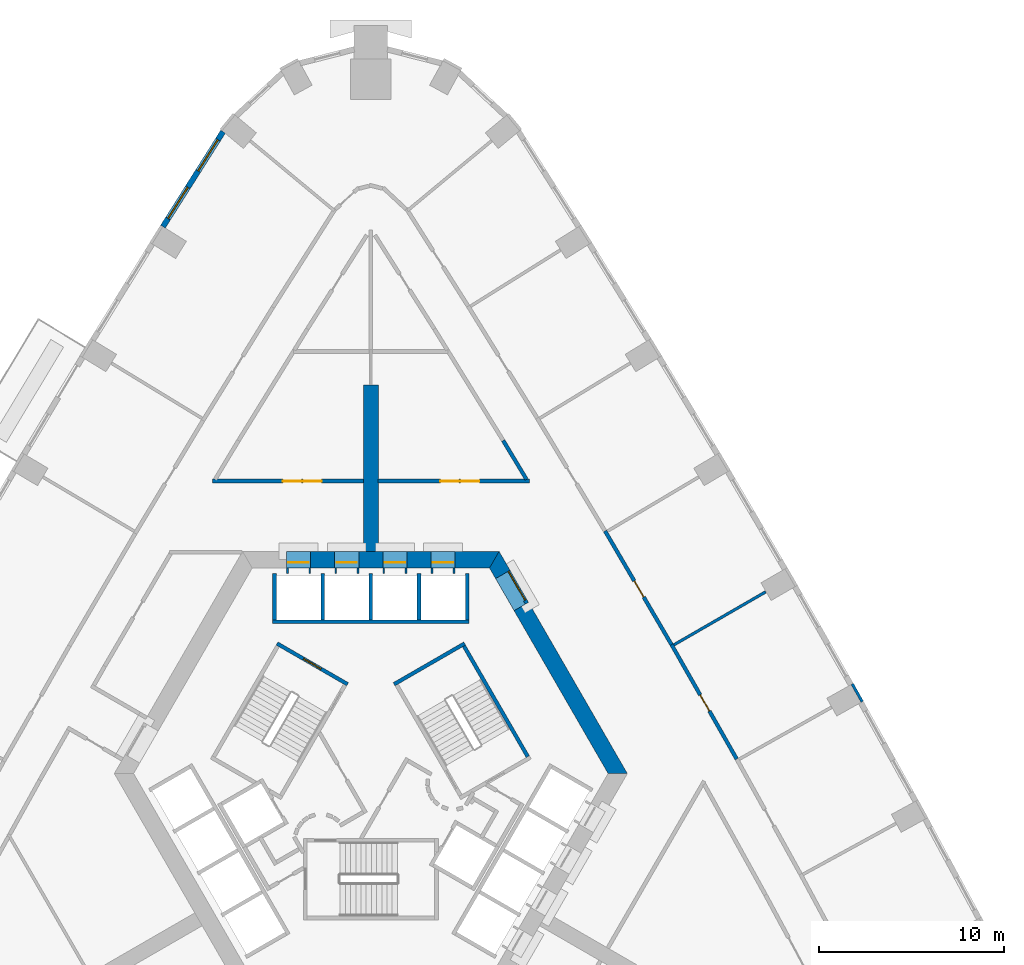
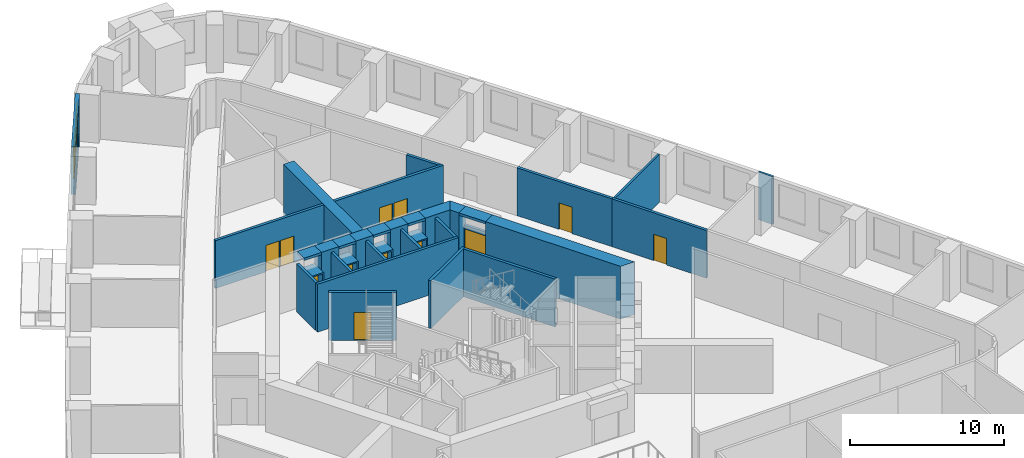
# One storey, part 9 of 16: 34 walls, 12 doors, 2 windows, 14 openings.
"""IFC4 building model written with IfcOpenShell, lengths in metres."""

from ifc_helpers import new_model, si_unit, direction, frame, frame_2d, origin, place, context, subcontext, project, spatial, polyline, rectangle, outline, extrude, material, layer, layer_set, type_object, element, fill, save


model = new_model("IFC4")

# Units and contexts
model_context = context("Model", 3, precision=1e-05, world=origin(), true_north=direction((0.0, 1.0)))
body_context = subcontext(model_context, "Body", "Model", "MODEL_VIEW")
ifc_project = project(units=[si_unit("LENGTHUNIT", "METRE"), si_unit("AREAUNIT", "SQUARE_METRE"), si_unit("VOLUMEUNIT", "CUBIC_METRE"), si_unit("PLANEANGLEUNIT", "RADIAN"), si_unit("MASSUNIT", "GRAM", prefix="KILO")], contexts=[model_context])

# Site, building, storey
site_placement = place(None, origin())
site = spatial("IfcSite", under=ifc_project, at=site_placement, CompositionType="ELEMENT")
building_placement = place(site_placement, origin())
building = spatial("IfcBuilding", under=site, at=building_placement, Name="Entoto Arch Interchange Tower", CompositionType="ELEMENT")
storey_placement = place(building_placement, frame((0.0, 0.0, 95.0)))
storey = spatial("IfcBuildingStorey", under=building, at=storey_placement, Name="L20", CompositionType="ELEMENT", Elevation=95.0)

# Wall
ifc_material_1 = material(Name="Concrete C60/75", Category="concrete")
ifc_layer_1 = layer(ifc_material_1, 0.800048828125)
ifc_layer_set_1 = layer_set([ifc_layer_1], Name="Concrete C60/75")
wall_type_1 = type_object("IfcWallType", Name="Buttress wall 800 C60/75", PredefinedType="SHEAR", material=ifc_layer_set_1)
wall_1_placement = place(storey_placement, frame((0.0, 14.5, -0.39990234375), z_axis=(0.0, 0.0, 1.0), x_axis=(0.0, 1.0, 0.0)))
element("IfcWall", 1, at=wall_1_placement, inside=storey, type_object=wall_type_1, Name="Buttress wall N L20", PredefinedType="SHEAR", context=body_context, shape_type="SweptSolid", body=[
    extrude(rectangle(XDim=9.0, YDim=0.800048828125, at=frame_2d((4.5, 0.0))), origin(), (0.0, 0.0, 1.0), 4.199951171875),
])

# Wall, opening, door
ifc_material_2 = material(Name="Reinforced concrete C40/50", Category="concrete")
ifc_layer_2 = layer(ifc_material_2, 0.199951171875)
ifc_layer_set_2 = layer_set([ifc_layer_2], Name="Reinforced concrete C40/50")
wall_type_2 = type_object("IfcWallType", Name="CORE GAP INFILL WALL", PredefinedType="PARTITIONING", material=ifc_layer_set_2)
wall_2_placement = place(storey_placement, frame((8.429931640625, 11.697998046875, 0.0), z_axis=(0.0, 0.0, 1.0), x_axis=(-0.50002537861, 0.866010750942, 0.0)))
wall_2 = element("IfcWall", 2, at=wall_2_placement, inside=storey, type_object=wall_type_2, Name="wall:L20:gap2", PredefinedType="PARTITIONING", context=body_context, shape_type="SweptSolid", body=[
    extrude(rectangle(XDim=2.0, YDim=0.199951171875, at=frame_2d((1.0, 0.0))), origin(), (0.0, 0.0, 1.0), 2.39990234375),
])
opening_1_placement = place(wall_2_placement, frame((0.18994140625, 0.0, 0.0)))
opening_1 = element("IfcOpeningElement", 3, at=opening_1_placement, cuts=wall_2, Name="Opening L20-D92", PredefinedType="OPENING", context=body_context, shape_type="SweptSolid", body=[
    extrude(rectangle(XDim=1.800048828125, YDim=2.10009765625, at=frame_2d((0.89990234375, 1.050048828125))), frame((0.0, 0.10986328125, 0.0), z_axis=(0.0, -1.0, 0.0), x_axis=(1.0, 0.0, 0.0)), (0.0, 0.0, 1.0), 0.219970703125),
])
ifc_material_3 = material(Name="Fire-rated Steel S235 door and frame", Category="steel")
door_type_1 = type_object("IfcDoorType", Name="DOOR FD-18 1800x2100", OperationType="DOUBLE_DOOR_SINGLE_SWING", PredefinedType="DOOR", material=ifc_material_3)
door_1_placement = place(opening_1_placement, origin())
door_1 = element("IfcDoor", 4, at=door_1_placement, inside=storey, type_object=door_type_1, Name="door:L20:gap2", OperationType="DOUBLE_DOOR_SINGLE_SWING", OverallHeight=2.10009765625, OverallWidth=1.800048828125, PredefinedType="DOOR", context=body_context, shape_type="SweptSolid", body=[
    extrude(rectangle(XDim=1.800048828125, YDim=2.10009765625, at=frame_2d((0.89990234375, 1.050048828125))), frame((0.0, 0.02490234375, 0.0), z_axis=(0.0, -1.0, 0.0), x_axis=(1.0, 0.0, 0.0)), (0.0, 0.0, 1.0), 0.050048828125),
])
fill(opening_1, door_1)

# Walls
ifc_layer_3 = layer(ifc_material_1, 0.89990234375)
ifc_layer_set_3 = layer_set([ifc_layer_3], Name="Concrete C60/75")
wall_type_3 = type_object("IfcWallType", Name="Core wall 900 C60/75", PredefinedType="SHEAR", material=ifc_layer_set_3)
wall_3_placement = place(storey_placement, frame((0.0, 0.0, -0.39990234375)))
element("IfcWall", 5, at=wall_3_placement, inside=storey, type_object=wall_type_3, Name="Core wall NE L20", PredefinedType="SHEAR", context=body_context, shape_type="SweptSolid", body=[
    extrude(outline(polyline([(8.51708984375, 11.748046875), (7.738037109375, 11.298095703125), (12.81689453125, 2.5), (13.85595703125, 2.5), (8.51708984375, 11.748046875)])), origin(), (0.0, 0.0, 1.0), 4.199951171875),
])
wall_4_placement = place(storey_placement, frame((0.0, 0.0, -0.39990234375)))
element("IfcWall", 6, at=wall_4_placement, inside=storey, type_object=wall_type_3, Name="Core wall NE L20", PredefinedType="SHEAR", context=body_context, shape_type="SweptSolid", body=[
    extrude(outline(polyline([(6.738037109375, 13.030029296875), (7.51708984375, 13.47998046875), (6.927978515625, 14.5), (6.408935546875, 13.60009765625), (6.738037109375, 13.030029296875)])), origin(), (0.0, 0.0, 1.0), 4.199951171875),
])
wall_5_placement = place(storey_placement, frame((0.0, 0.0, 3.60009765625)))
element("IfcWall", 7, at=wall_5_placement, inside=storey, type_object=wall_type_3, Name="Core wall lintel NE L20", PredefinedType="SHEAR", context=body_context, shape_type="SweptSolid", body=[
    extrude(outline(polyline([(7.51708984375, 13.47998046875), (6.738037109375, 13.030029296875), (7.738037109375, 11.298095703125), (8.51708984375, 11.748046875), (7.51708984375, 13.47998046875)])), origin(), (0.0, 0.0, 1.0), 0.199951171875),
])
wall_6_placement = place(storey_placement, frame((0.0, 0.0, -0.39990234375)))
element("IfcWall", 8, at=wall_6_placement, inside=storey, type_object=wall_type_3, Name="Core wall N L20", PredefinedType="SHEAR", context=body_context, shape_type="SweptSolid", body=[
    extrude(outline(polyline([(4.550048828125, 14.5), (4.550048828125, 13.60009765625), (6.408935546875, 13.60009765625), (6.927978515625, 14.5), (4.550048828125, 14.5)])), origin(), (0.0, 0.0, 1.0), 4.199951171875),
])
wall_7_placement = place(storey_placement, frame((0.0, 0.0, -0.39990234375)))
element("IfcWall", 9, at=wall_7_placement, inside=storey, type_object=wall_type_3, Name="Core wall N L20", PredefinedType="SHEAR", context=body_context, shape_type="SweptSolid", body=[
    extrude(outline(polyline([(1.949951171875, 14.5), (1.949951171875, 13.60009765625), (3.25, 13.60009765625), (3.25, 14.5), (1.949951171875, 14.5)])), origin(), (0.0, 0.0, 1.0), 4.199951171875),
])
wall_8_placement = place(storey_placement, frame((0.0, 0.0, -0.39990234375)))
element("IfcWall", 10, at=wall_8_placement, inside=storey, type_object=wall_type_3, Name="Core wall N L20", PredefinedType="SHEAR", context=body_context, shape_type="SweptSolid", body=[
    extrude(outline(polyline([(-0.64990234375, 14.5), (-0.64990234375, 13.60009765625), (0.64990234375, 13.60009765625), (0.64990234375, 14.5), (-0.64990234375, 14.5)])), origin(), (0.0, 0.0, 1.0), 4.199951171875),
])
wall_9_placement = place(storey_placement, frame((0.0, 0.0, -0.39990234375)))
element("IfcWall", 11, at=wall_9_placement, inside=storey, type_object=wall_type_3, Name="Core wall N L20", PredefinedType="SHEAR", context=body_context, shape_type="SweptSolid", body=[
    extrude(outline(polyline([(-3.25, 14.5), (-3.25, 13.60009765625), (-1.949951171875, 13.60009765625), (-1.949951171875, 14.5), (-3.25, 14.5)])), origin(), (0.0, 0.0, 1.0), 4.199951171875),
])
wall_10_placement = place(storey_placement, frame((0.0, 0.0, 3.60009765625)))
element("IfcWall", 12, at=wall_10_placement, inside=storey, type_object=wall_type_3, Name="Core wall lintel N L20", PredefinedType="SHEAR", context=body_context, shape_type="SweptSolid", body=[
    extrude(outline(polyline([(3.25, 14.5), (3.25, 13.60009765625), (4.550048828125, 13.60009765625), (4.550048828125, 14.5), (3.25, 14.5)])), origin(), (0.0, 0.0, 1.0), 0.199951171875),
])
wall_11_placement = place(storey_placement, frame((0.0, 0.0, 3.60009765625)))
element("IfcWall", 13, at=wall_11_placement, inside=storey, type_object=wall_type_3, Name="Core wall lintel N L20", PredefinedType="SHEAR", context=body_context, shape_type="SweptSolid", body=[
    extrude(outline(polyline([(0.64990234375, 14.5), (0.64990234375, 13.60009765625), (1.949951171875, 13.60009765625), (1.949951171875, 14.5), (0.64990234375, 14.5)])), origin(), (0.0, 0.0, 1.0), 0.199951171875),
])
wall_12_placement = place(storey_placement, frame((0.0, 0.0, 3.60009765625)))
element("IfcWall", 14, at=wall_12_placement, inside=storey, type_object=wall_type_3, Name="Core wall lintel N L20", PredefinedType="SHEAR", context=body_context, shape_type="SweptSolid", body=[
    extrude(outline(polyline([(-1.949951171875, 14.5), (-1.949951171875, 13.60009765625), (-0.64990234375, 13.60009765625), (-0.64990234375, 14.5), (-1.949951171875, 14.5)])), origin(), (0.0, 0.0, 1.0), 0.199951171875),
])
wall_13_placement = place(storey_placement, frame((0.0, 0.0, 3.60009765625)))
element("IfcWall", 15, at=wall_13_placement, inside=storey, type_object=wall_type_3, Name="Core wall lintel N L20", PredefinedType="SHEAR", context=body_context, shape_type="SweptSolid", body=[
    extrude(outline(polyline([(-4.550048828125, 14.5), (-4.550048828125, 13.60009765625), (-3.25, 13.60009765625), (-3.25, 14.5), (-4.550048828125, 14.5)])), origin(), (0.0, 0.0, 1.0), 0.199951171875),
])

# Wall, opening, door
ifc_material_4 = material(Name="Concrete C40/50", Category="concrete")
ifc_layer_4 = layer(ifc_material_4, 1.199951171875)
ifc_layer_set_4 = layer_set([ifc_layer_4], Name="Concrete C40/50")
wall_type_4 = type_object("IfcWallType", Name="LIFT LANDING INFILL WALL", PredefinedType="STANDARD", material=ifc_layer_set_4)
wall_14_placement = place(storey_placement, frame((4.550048828125, 13.89990234375, 0.0), z_axis=(0.0, 0.0, 1.0), x_axis=(-1.0, 0.0, 0.0)))
wall_14 = element("IfcWall", 16, at=wall_14_placement, inside=storey, type_object=wall_type_4, Name="Lift landing infill wall LR1 L20", PredefinedType="STANDARD", context=body_context, shape_type="SweptSolid", body=[
    extrude(rectangle(XDim=1.300048828125, YDim=1.199951171875, at=frame_2d((0.64990234375, 0.0))), origin(), (0.0, 0.0, 1.0), 2.39990234375),
])
opening_2_placement = place(wall_14_placement, frame((0.10009765625, 0.0, 0.0)))
opening_2 = element("IfcOpeningElement", 17, at=opening_2_placement, cuts=wall_14, Name="Opening LD-LR1-L20", PredefinedType="OPENING", context=body_context, shape_type="SweptSolid", body=[
    extrude(rectangle(XDim=1.10009765625, YDim=2.300048828125, at=frame_2d((0.550048828125, 1.14990234375))), frame((0.0, 0.60986328125, 0.0), z_axis=(0.0, -1.0, 0.0), x_axis=(1.0, 0.0, 0.0)), (0.0, 0.0, 1.0), 1.219970703125),
])
ifc_material_5 = material(Name="Stainless steel 1.4301 panels", Category="steel")
door_type_2 = type_object("IfcDoorType", Name="LIFT LANDING DOOR LD2 1100x2300", OperationType="SLIDING_TO_LEFT", PredefinedType="DOOR", material=ifc_material_5)
door_2_placement = place(opening_2_placement, origin())
door_2 = element("IfcDoor", 18, at=door_2_placement, inside=storey, type_object=door_type_2, Name="Lift landing door LR1 L20", OperationType="SLIDING_TO_LEFT", OverallHeight=2.300048828125, OverallWidth=1.10009765625, PredefinedType="DOOR", context=body_context, shape_type="SweptSolid", body=[
    extrude(rectangle(XDim=1.10009765625, YDim=2.300048828125, at=frame_2d((0.550048828125, 1.14990234375))), frame((0.0, 0.02490234375, 0.0), z_axis=(0.0, -1.0, 0.0), x_axis=(1.0, 0.0, 0.0)), (0.0, 0.0, 1.0), 0.050048828125),
])
fill(opening_2, door_2)

wall_15_placement = place(storey_placement, frame((1.949951171875, 13.89990234375, 0.0), z_axis=(0.0, 0.0, 1.0), x_axis=(-1.0, 0.0, 0.0)))
wall_15 = element("IfcWall", 19, at=wall_15_placement, inside=storey, type_object=wall_type_4, Name="Lift landing infill wall LR2 L20", PredefinedType="STANDARD", context=body_context, shape_type="SweptSolid", body=[
    extrude(rectangle(XDim=1.300048828125, YDim=1.199951171875, at=frame_2d((0.64990234375, 0.0))), origin(), (0.0, 0.0, 1.0), 2.39990234375),
])
opening_3_placement = place(wall_15_placement, frame((0.10009765625, 0.0, 0.0)))
opening_3 = element("IfcOpeningElement", 20, at=opening_3_placement, cuts=wall_15, Name="Opening LD-LR2-L20", PredefinedType="OPENING", context=body_context, shape_type="SweptSolid", body=[
    extrude(rectangle(XDim=1.10009765625, YDim=2.300048828125, at=frame_2d((0.550048828125, 1.14990234375))), frame((0.0, 0.60986328125, 0.0), z_axis=(0.0, -1.0, 0.0), x_axis=(1.0, 0.0, 0.0)), (0.0, 0.0, 1.0), 1.219970703125),
])
door_3_placement = place(opening_3_placement, origin())
door_3 = element("IfcDoor", 21, at=door_3_placement, inside=storey, type_object=door_type_2, Name="Lift landing door LR2 L20", OperationType="SLIDING_TO_LEFT", OverallHeight=2.300048828125, OverallWidth=1.10009765625, PredefinedType="DOOR", context=body_context, shape_type="SweptSolid", body=[
    extrude(rectangle(XDim=1.10009765625, YDim=2.300048828125, at=frame_2d((0.550048828125, 1.14990234375))), frame((0.0, 0.02490234375, 0.0), z_axis=(0.0, -1.0, 0.0), x_axis=(1.0, 0.0, 0.0)), (0.0, 0.0, 1.0), 0.050048828125),
])
fill(opening_3, door_3)

wall_16_placement = place(storey_placement, frame((-0.64990234375, 13.89990234375, 0.0), z_axis=(0.0, 0.0, 1.0), x_axis=(-1.0, 0.0, 0.0)))
wall_16 = element("IfcWall", 22, at=wall_16_placement, inside=storey, type_object=wall_type_4, Name="Lift landing infill wall LR3 L20", PredefinedType="STANDARD", context=body_context, shape_type="SweptSolid", body=[
    extrude(rectangle(XDim=1.300048828125, YDim=1.199951171875, at=frame_2d((0.64990234375, 0.0))), origin(), (0.0, 0.0, 1.0), 2.39990234375),
])
opening_4_placement = place(wall_16_placement, frame((0.10009765625, 0.0, 0.0)))
opening_4 = element("IfcOpeningElement", 23, at=opening_4_placement, cuts=wall_16, Name="Opening LD-LR3-L20", PredefinedType="OPENING", context=body_context, shape_type="SweptSolid", body=[
    extrude(rectangle(XDim=1.10009765625, YDim=2.300048828125, at=frame_2d((0.550048828125, 1.14990234375))), frame((0.0, 0.60986328125, 0.0), z_axis=(0.0, -1.0, 0.0), x_axis=(1.0, 0.0, 0.0)), (0.0, 0.0, 1.0), 1.219970703125),
])
door_4_placement = place(opening_4_placement, origin())
door_4 = element("IfcDoor", 24, at=door_4_placement, inside=storey, type_object=door_type_2, Name="Lift landing door LR3 L20", OperationType="SLIDING_TO_LEFT", OverallHeight=2.300048828125, OverallWidth=1.10009765625, PredefinedType="DOOR", context=body_context, shape_type="SweptSolid", body=[
    extrude(rectangle(XDim=1.10009765625, YDim=2.300048828125, at=frame_2d((0.550048828125, 1.14990234375))), frame((0.0, 0.02490234375, 0.0), z_axis=(0.0, -1.0, 0.0), x_axis=(1.0, 0.0, 0.0)), (0.0, 0.0, 1.0), 0.050048828125),
])
fill(opening_4, door_4)

wall_17_placement = place(storey_placement, frame((-3.25, 13.89990234375, 0.0), z_axis=(0.0, 0.0, 1.0), x_axis=(-1.0, 0.0, 0.0)))
wall_17 = element("IfcWall", 25, at=wall_17_placement, inside=storey, type_object=wall_type_4, Name="Lift landing infill wall LR4 L20", PredefinedType="STANDARD", context=body_context, shape_type="SweptSolid", body=[
    extrude(rectangle(XDim=1.300048828125, YDim=1.199951171875, at=frame_2d((0.64990234375, 0.0))), origin(), (0.0, 0.0, 1.0), 2.39990234375),
])
opening_5_placement = place(wall_17_placement, frame((0.10009765625, 0.0, 0.0)))
opening_5 = element("IfcOpeningElement", 26, at=opening_5_placement, cuts=wall_17, Name="Opening LD-LR4-L20", PredefinedType="OPENING", context=body_context, shape_type="SweptSolid", body=[
    extrude(rectangle(XDim=1.10009765625, YDim=2.300048828125, at=frame_2d((0.550048828125, 1.14990234375))), frame((0.0, 0.60986328125, 0.0), z_axis=(0.0, -1.0, 0.0), x_axis=(1.0, 0.0, 0.0)), (0.0, 0.0, 1.0), 1.219970703125),
])
door_5_placement = place(opening_5_placement, origin())
door_5 = element("IfcDoor", 27, at=door_5_placement, inside=storey, type_object=door_type_2, Name="Lift landing door LR4 L20", OperationType="SLIDING_TO_LEFT", OverallHeight=2.300048828125, OverallWidth=1.10009765625, PredefinedType="DOOR", context=body_context, shape_type="SweptSolid", body=[
    extrude(rectangle(XDim=1.10009765625, YDim=2.300048828125, at=frame_2d((0.550048828125, 1.14990234375))), frame((0.0, 0.02490234375, 0.0), z_axis=(0.0, -1.0, 0.0), x_axis=(1.0, 0.0, 0.0)), (0.0, 0.0, 1.0), 0.050048828125),
])
fill(opening_5, door_5)

# Walls
ifc_layer_5 = layer(ifc_material_4, 0.199951171875)
ifc_layer_set_5 = layer_set([ifc_layer_5], Name="Concrete C40/50")
wall_type_5 = type_object("IfcWallType", Name="LIFT SHAFT WALL 200", PredefinedType="STANDARD", material=ifc_layer_set_5)
wall_18_placement = place(storey_placement, frame((5.300048828125, 10.699951171875, 0.0), z_axis=(0.0, 0.0, 1.0), x_axis=(-1.0, 0.0, 0.0)))
element("IfcWall", 28, at=wall_18_placement, inside=storey, type_object=wall_type_5, Name="Shaft wall N3 front", PredefinedType="STANDARD", context=body_context, shape_type="SweptSolid", body=[
    extrude(rectangle(XDim=10.60009765625, YDim=0.199951171875, at=frame_2d((5.300048828125, 0.0))), origin(), (0.0, 0.0, 1.0), 3.800048828125),
])
for number, where, z_axis, x_axis, name in (
    (29, (5.199951171875, 10.800048828125, 0.0), (0.0, 0.0, 1.0), (0.0, 1.0, 0.0), "Shaft wall N3 cross 1"),
    (30, (2.60009765625, 10.800048828125, 0.0), (0.0, 0.0, 1.0), (0.0, 1.0, 0.0), "Shaft wall N3 cross 2"),
    (31, (0.0, 10.800048828125, 0.0), (0.0, 0.0, 1.0), (0.0, 1.0, 0.0), "Shaft wall N3 cross 3"),
    (32, (-2.60009765625, 10.800048828125, 0.0), (0.0, 0.0, 1.0), (0.0, 1.0, 0.0), "Shaft wall N3 cross 4"),
    (33, (-5.199951171875, 10.800048828125, 0.0), (0.0, 0.0, 1.0), (0.0, 1.0, 0.0), "Shaft wall N3 cross 5"),
):
    element("IfcWall", number, at=place(storey_placement, frame(where, z_axis=z_axis, x_axis=x_axis)), inside=storey, type_object=wall_type_5, Name=name, PredefinedType="STANDARD", context=body_context, shape_type="SweptSolid", body=[
        extrude(rectangle(XDim=2.5, YDim=0.199951171875, at=frame_2d((1.25, 0.0))), origin(), (0.0, 0.0, 1.0), 3.800048828125),
    ])
ifc_material_6 = material(Name="Gypsum board partition on steel studs", Category="steel")
ifc_layer_6 = layer(ifc_material_6, 0.14990234375)
ifc_layer_set_6 = layer_set([ifc_layer_6], Name="Gypsum board partition on steel studs")
wall_type_6 = type_object("IfcWallType", Name="PARTITION 150", PredefinedType="PARTITIONING", material=ifc_layer_set_6)
wall_19_placement = place(storey_placement, frame((16.366943359375, 9.449951171875, 0.0), z_axis=(0.0, 0.0, 1.0), x_axis=(0.866061440635, 0.499937577149, 0.0)))
element("IfcWall", 34, at=wall_19_placement, inside=storey, type_object=wall_type_6, Name="wall:L20:p118", PredefinedType="PARTITIONING", context=body_context, shape_type="SweptSolid", body=[
    extrude(rectangle(XDim=5.730712890625, YDim=0.14990234375, at=frame_2d((2.865234375, 0.0))), origin(), (0.0, 0.0, 1.0), 3.800048828125),
])
ifc_layer_7 = layer(ifc_material_6, 0.199951171875)
ifc_layer_set_7 = layer_set([ifc_layer_7], Name="Gypsum board partition on steel studs")
wall_type_7 = type_object("IfcWallType", Name="PARTITION 200", PredefinedType="PARTITIONING", material=ifc_layer_set_7)
wall_20_placement = place(storey_placement, frame((8.410888671875, 18.385986328125, 0.0), z_axis=(0.0, 0.0, 1.0), x_axis=(-0.515008089027, 0.857185317325, 0.0)))
element("IfcWall", 35, at=wall_20_placement, inside=storey, type_object=wall_type_7, Name="wall:L20:p001", PredefinedType="PARTITIONING", context=body_context, shape_type="SweptSolid", body=[
    extrude(rectangle(XDim=2.452392578125, YDim=0.199951171875, at=frame_2d((1.22607421875, 0.0))), origin(), (0.0, 0.0, 1.0), 3.800048828125),
])

# Wall, opening, door
wall_21_placement = place(storey_placement, frame((16.242919921875, 9.465087890625, 0.0), z_axis=(0.0, 0.0, 1.0), x_axis=(0.495081262009, -0.868846674625, 0.0)))
wall_21 = element("IfcWall", 36, at=wall_21_placement, inside=storey, type_object=wall_type_7, Name="wall:L20:p042", PredefinedType="PARTITIONING", context=body_context, shape_type="SweptSolid", body=[
    extrude(rectangle(XDim=7.112060546875, YDim=0.199951171875, at=frame_2d((3.55615234375, 0.0))), origin(), (0.0, 0.0, 1.0), 3.800048828125),
])
opening_6_placement = place(wall_21_placement, frame((3.131103515625, 0.0, 0.0)))
opening_6 = element("IfcOpeningElement", 37, at=opening_6_placement, cuts=wall_21, Name="Opening L20-D08", PredefinedType="OPENING", context=body_context, shape_type="SweptSolid", body=[
    extrude(rectangle(XDim=1.0, YDim=2.10009765625, at=frame_2d((0.5, 1.050048828125))), frame((0.0, 0.10986328125, 0.0), z_axis=(0.0, -1.0, 0.0), x_axis=(1.0, 0.0, 0.0)), (0.0, 0.0, 1.0), 0.219970703125),
])
ifc_material_7 = material(Name="Timber door leaf in Steel S235 frame", Category="steel")
door_type_3 = type_object("IfcDoorType", Name="DOOR DS-10 1000x2100", OperationType="SINGLE_SWING_LEFT", PredefinedType="DOOR", material=ifc_material_7)
door_6_placement = place(opening_6_placement, origin())
door_6 = element("IfcDoor", 38, at=door_6_placement, inside=storey, type_object=door_type_3, Name="door:L20:08", OperationType="SINGLE_SWING_LEFT", OverallHeight=2.10009765625, OverallWidth=1.0, PredefinedType="DOOR", context=body_context, shape_type="SweptSolid", body=[
    extrude(rectangle(XDim=1.0, YDim=2.10009765625, at=frame_2d((0.5, 1.050048828125))), frame((0.0, 0.02490234375, 0.0), z_axis=(0.0, -1.0, 0.0), x_axis=(1.0, 0.0, 0.0)), (0.0, 0.0, 1.0), 0.050048828125),
])
fill(opening_6, door_6)

wall_22_placement = place(storey_placement, frame((12.652099609375, 15.60205078125, 0.0), z_axis=(0.0, 0.0, 1.0), x_axis=(0.504914693075, -0.863169249172, 0.0)))
wall_22 = element("IfcWall", 39, at=wall_22_placement, inside=storey, type_object=wall_type_7, Name="wall:L20:p043", PredefinedType="PARTITIONING", context=body_context, shape_type="SweptSolid", body=[
    extrude(rectangle(XDim=7.10986328125, YDim=0.199951171875, at=frame_2d((3.554931640625, 0.0))), origin(), (0.0, 0.0, 1.0), 3.800048828125),
])
opening_7_placement = place(wall_22_placement, frame((3.1298828125, 0.0, 0.0)))
opening_7 = element("IfcOpeningElement", 40, at=opening_7_placement, cuts=wall_22, Name="Opening L20-D09", PredefinedType="OPENING", context=body_context, shape_type="SweptSolid", body=[
    extrude(rectangle(XDim=1.0, YDim=2.10009765625, at=frame_2d((0.5, 1.050048828125))), frame((0.0, 0.10986328125, 0.0), z_axis=(0.0, -1.0, 0.0), x_axis=(1.0, 0.0, 0.0)), (0.0, 0.0, 1.0), 0.219970703125),
])
door_7_placement = place(opening_7_placement, origin())
door_7 = element("IfcDoor", 41, at=door_7_placement, inside=storey, type_object=door_type_3, Name="door:L20:09", OperationType="SINGLE_SWING_LEFT", OverallHeight=2.10009765625, OverallWidth=1.0, PredefinedType="DOOR", context=body_context, shape_type="SweptSolid", body=[
    extrude(rectangle(XDim=1.0, YDim=2.10009765625, at=frame_2d((0.5, 1.050048828125))), frame((0.0, 0.02490234375, 0.0), z_axis=(0.0, -1.0, 0.0), x_axis=(1.0, 0.0, 0.0)), (0.0, 0.0, 1.0), 0.050048828125),
])
fill(opening_7, door_7)

# Wall, openings, doors
wall_23_placement = place(storey_placement, frame((0.39990234375, 18.300048828125, 0.0), z_axis=(0.0, 0.0, 1.0), x_axis=(1.0, 0.0, 0.0)))
wall_23 = element("IfcWall", 42, at=wall_23_placement, inside=storey, type_object=wall_type_7, Name="wall:L20:p099", PredefinedType="PARTITIONING", context=body_context, shape_type="SweptSolid", body=[
    extrude(rectangle(XDim=8.1630859375, YDim=0.199951171875, at=frame_2d((4.08154296875, 0.0))), origin(), (0.0, 0.0, 1.0), 3.800048828125),
])
opening_8_placement = place(wall_23_placement, frame((3.35595703125, 0.0, 0.0)))
opening_8 = element("IfcOpeningElement", 43, at=opening_8_placement, cuts=wall_23, Name="Opening L20-D24", PredefinedType="OPENING", context=body_context, shape_type="SweptSolid", body=[
    extrude(rectangle(XDim=1.0, YDim=2.10009765625, at=frame_2d((0.5, 1.050048828125))), frame((0.0, 0.10986328125, 0.0), z_axis=(0.0, -1.0, 0.0), x_axis=(1.0, 0.0, 0.0)), (0.0, 0.0, 1.0), 0.219970703125),
])
opening_9_placement = place(wall_23_placement, frame((4.4560546875, 0.0, 0.0)))
opening_9 = element("IfcOpeningElement", 44, at=opening_9_placement, cuts=wall_23, Name="Opening L20-D37", PredefinedType="OPENING", context=body_context, shape_type="SweptSolid", body=[
    extrude(rectangle(XDim=1.0, YDim=2.10009765625, at=frame_2d((0.5, 1.050048828125))), frame((0.0, 0.10986328125, 0.0), z_axis=(0.0, -1.0, 0.0), x_axis=(1.0, 0.0, 0.0)), (0.0, 0.0, 1.0), 0.219970703125),
])
door_8_placement = place(opening_8_placement, origin())
door_8 = element("IfcDoor", 45, at=door_8_placement, inside=storey, type_object=door_type_3, Name="door:L20:24", OperationType="SINGLE_SWING_RIGHT", OverallHeight=2.10009765625, OverallWidth=1.0, PredefinedType="DOOR", context=body_context, shape_type="SweptSolid", body=[
    extrude(rectangle(XDim=1.0, YDim=2.10009765625, at=frame_2d((0.5, 1.050048828125))), frame((0.0, 0.02490234375, 0.0), z_axis=(0.0, -1.0, 0.0), x_axis=(1.0, 0.0, 0.0)), (0.0, 0.0, 1.0), 0.050048828125),
])
fill(opening_8, door_8)
door_9_placement = place(opening_9_placement, origin())
door_9 = element("IfcDoor", 46, at=door_9_placement, inside=storey, type_object=door_type_3, Name="door:L20:37", OperationType="SINGLE_SWING_RIGHT", OverallHeight=2.10009765625, OverallWidth=1.0, PredefinedType="DOOR", context=body_context, shape_type="SweptSolid", body=[
    extrude(rectangle(XDim=1.0, YDim=2.10009765625, at=frame_2d((0.5, 1.050048828125))), frame((0.0, 0.02490234375, 0.0), z_axis=(0.0, -1.0, 0.0), x_axis=(1.0, 0.0, 0.0)), (0.0, 0.0, 1.0), 0.050048828125),
])
fill(opening_9, door_9)

wall_24_placement = place(storey_placement, frame((-8.56298828125, 18.300048828125, 0.0), z_axis=(0.0, 0.0, 1.0), x_axis=(1.0, 0.0, 0.0)))
wall_24 = element("IfcWall", 47, at=wall_24_placement, inside=storey, type_object=wall_type_7, Name="wall:L20:p100", PredefinedType="PARTITIONING", context=body_context, shape_type="SweptSolid", body=[
    extrude(rectangle(XDim=8.1630859375, YDim=0.199951171875, at=frame_2d((4.08154296875, 0.0))), origin(), (0.0, 0.0, 1.0), 3.800048828125),
])
opening_10_placement = place(wall_24_placement, frame((3.805908203125, 0.0, 0.0)))
opening_10 = element("IfcOpeningElement", 48, at=opening_10_placement, cuts=wall_24, Name="Opening L20-D25", PredefinedType="OPENING", context=body_context, shape_type="SweptSolid", body=[
    extrude(rectangle(XDim=1.0, YDim=2.10009765625, at=frame_2d((0.5, 1.050048828125))), frame((0.0, 0.10986328125, 0.0), z_axis=(0.0, -1.0, 0.0), x_axis=(1.0, 0.0, 0.0)), (0.0, 0.0, 1.0), 0.219970703125),
])
opening_11_placement = place(wall_24_placement, frame((4.906005859375, 0.0, 0.0)))
opening_11 = element("IfcOpeningElement", 49, at=opening_11_placement, cuts=wall_24, Name="Opening L20-D38", PredefinedType="OPENING", context=body_context, shape_type="SweptSolid", body=[
    extrude(rectangle(XDim=1.0, YDim=2.10009765625, at=frame_2d((0.5, 1.050048828125))), frame((0.0, 0.10986328125, 0.0), z_axis=(0.0, -1.0, 0.0), x_axis=(1.0, 0.0, 0.0)), (0.0, 0.0, 1.0), 0.219970703125),
])
door_10_placement = place(opening_10_placement, origin())
door_10 = element("IfcDoor", 50, at=door_10_placement, inside=storey, type_object=door_type_3, Name="door:L20:25", OperationType="SINGLE_SWING_RIGHT", OverallHeight=2.10009765625, OverallWidth=1.0, PredefinedType="DOOR", context=body_context, shape_type="SweptSolid", body=[
    extrude(rectangle(XDim=1.0, YDim=2.10009765625, at=frame_2d((0.5, 1.050048828125))), frame((0.0, 0.02490234375, 0.0), z_axis=(0.0, -1.0, 0.0), x_axis=(1.0, 0.0, 0.0)), (0.0, 0.0, 1.0), 0.050048828125),
])
fill(opening_10, door_10)
door_11_placement = place(opening_11_placement, origin())
door_11 = element("IfcDoor", 51, at=door_11_placement, inside=storey, type_object=door_type_3, Name="door:L20:38", OperationType="SINGLE_SWING_RIGHT", OverallHeight=2.10009765625, OverallWidth=1.0, PredefinedType="DOOR", context=body_context, shape_type="SweptSolid", body=[
    extrude(rectangle(XDim=1.0, YDim=2.10009765625, at=frame_2d((0.5, 1.050048828125))), frame((0.0, 0.02490234375, 0.0), z_axis=(0.0, -1.0, 0.0), x_axis=(1.0, 0.0, 0.0)), (0.0, 0.0, 1.0), 0.050048828125),
])
fill(opening_11, door_11)

# Walls
ifc_layer_8 = layer(ifc_material_4, 0.199951171875)
ifc_layer_set_8 = layer_set([ifc_layer_8], Name="Concrete C40/50")
wall_type_8 = type_object("IfcWallType", Name="STAIR ENCLOSURE WALL 200", PredefinedType="STANDARD", material=ifc_layer_set_8)
wall_25_placement = place(storey_placement, frame((1.256103515625, 7.323974609375, 0.0), z_axis=(0.0, 0.0, 1.0), x_axis=(0.866046073146, 0.499964197906, 0.0)))
element("IfcWall", 52, at=wall_25_placement, inside=storey, type_object=wall_type_8, Name="Stair wall ST-NE far", PredefinedType="STANDARD", context=body_context, shape_type="SweptSolid", body=[
    extrude(rectangle(XDim=4.400146484375, YDim=0.199951171875, at=frame_2d((2.2001953125, 0.0))), origin(), (0.0, 0.0, 1.0), 3.800048828125),
])
wall_26_placement = place(storey_placement, frame((8.47998046875, 3.412109375, 0.0), z_axis=(0.0, 0.0, 1.0), x_axis=(-0.499978703459, 0.866037698999, 0.0)))
element("IfcWall", 53, at=wall_26_placement, inside=storey, type_object=wall_type_8, Name="Stair wall ST-NE back", PredefinedType="STANDARD", context=body_context, shape_type="SweptSolid", body=[
    extrude(rectangle(XDim=6.900146484375, YDim=0.199951171875, at=frame_2d((3.4501953125, 0.0))), origin(), (0.0, 0.0, 1.0), 3.800048828125),
])

# Wall, opening, door
wall_27_placement = place(storey_placement, frame((-1.256103515625, 7.323974609375, 0.0), z_axis=(0.0, 0.0, 1.0), x_axis=(-0.866046073146, 0.499964197906, 0.0)))
wall_27 = element("IfcWall", 54, at=wall_27_placement, inside=storey, type_object=wall_type_8, Name="Stair wall ST-NW near", PredefinedType="STANDARD", context=body_context, shape_type="SweptSolid", body=[
    extrude(rectangle(XDim=4.400146484375, YDim=0.199951171875, at=frame_2d((2.2001953125, 0.0))), origin(), (0.0, 0.0, 1.0), 3.800048828125),
])
opening_12_placement = place(wall_27_placement, frame((1.64990234375, 0.0, 0.0)))
opening_12 = element("IfcOpeningElement", 55, at=opening_12_placement, cuts=wall_27, Name="Opening SD-ST-NW-L20-E", PredefinedType="OPENING", context=body_context, shape_type="SweptSolid", body=[
    extrude(rectangle(XDim=1.10009765625, YDim=2.199951171875, at=frame_2d((0.550048828125, 1.10009765625))), frame((0.0, 0.10986328125, 0.0), z_axis=(0.0, -1.0, 0.0), x_axis=(1.0, 0.0, 0.0)), (0.0, 0.0, 1.0), 0.219970703125),
])
ifc_material_8 = material(Name="Steel S235", Category="steel")
door_type_4 = type_object("IfcDoorType", Name="STAIR DOOR SD1 1100x2200", OperationType="SINGLE_SWING_LEFT", PredefinedType="DOOR", material=ifc_material_8)
door_12_placement = place(opening_12_placement, origin())
door_12 = element("IfcDoor", 56, at=door_12_placement, inside=storey, type_object=door_type_4, Name="Stair door ST-NW L20 end", OperationType="SINGLE_SWING_LEFT", OverallHeight=2.199951171875, OverallWidth=1.10009765625, PredefinedType="DOOR", context=body_context, shape_type="SweptSolid", body=[
    extrude(rectangle(XDim=1.10009765625, YDim=2.199951171875, at=frame_2d((0.550048828125, 1.10009765625))), frame((0.0, 0.02490234375, 0.0), z_axis=(0.0, -1.0, 0.0), x_axis=(1.0, 0.0, 0.0)), (0.0, 0.0, 1.0), 0.050048828125),
])
fill(opening_12, door_12)

# Wall, openings, windows
ifc_material_9 = material(Name="Welded tuff (ignimbrite) cladding, warm buff", Category="masonry")
ifc_layer_9 = layer(ifc_material_9, 0.300048828125)
ifc_layer_set_9 = layer_set([ifc_layer_9], Name="Welded tuff (ignimbrite) cladding, warm buff")
wall_type_9 = type_object("IfcWallType", Name="STONE INFILL WALL 300", PredefinedType="STANDARD", material=ifc_layer_set_9)
wall_28_placement = place(storey_placement, frame((-7.98193359375, 37.177001953125, 0.0), z_axis=(0.0, 0.0, 1.0), x_axis=(-0.534869492536, -0.84493468739, 0.0)))
wall_28 = element("IfcWall", 57, at=wall_28_placement, inside=storey, type_object=wall_type_9, Name="Facade wall NW-01 L20", PredefinedType="STANDARD", context=body_context, shape_type="SweptSolid", body=[
    extrude(rectangle(XDim=6.076171875, YDim=0.300048828125, at=frame_2d((3.0380859375, 0.0))), origin(), (0.0, 0.0, 1.0), 3.800048828125),
])
opening_13_placement = place(wall_28_placement, frame((0.51904296875, 0.0, 0.89990234375)))
opening_13 = element("IfcOpeningElement", 58, at=opening_13_placement, cuts=wall_28, Name="Opening WO-C", PredefinedType="OPENING", context=body_context, shape_type="SweptSolid", body=[
    extrude(rectangle(XDim=2.0, YDim=2.60009765625, at=frame_2d((1.0, 1.300048828125))), frame((0.0, 0.16015625, 0.0), z_axis=(0.0, -1.0, 0.0), x_axis=(1.0, 0.0, 0.0)), (0.0, 0.0, 1.0), 0.320068359375),
])
opening_14_placement = place(wall_28_placement, frame((3.556884765625, 0.0, 0.89990234375)))
opening_14 = element("IfcOpeningElement", 59, at=opening_14_placement, cuts=wall_28, Name="Opening WO-C", PredefinedType="OPENING", context=body_context, shape_type="SweptSolid", body=[
    extrude(rectangle(XDim=2.0, YDim=2.60009765625, at=frame_2d((1.0, 1.300048828125))), frame((0.0, 0.16015625, 0.0), z_axis=(0.0, -1.0, 0.0), x_axis=(1.0, 0.0, 0.0)), (0.0, 0.0, 1.0), 0.320068359375),
])
ifc_material_10 = material(Name="Clear glass, low-e double glazed", Category="glass")
window_type = type_object("IfcWindowType", Name="WINDOW WO-C 2000x2600", PartitioningType="DOUBLE_PANEL_VERTICAL", PredefinedType="WINDOW", material=ifc_material_10)
window_1_placement = place(opening_13_placement, origin())
window_1 = element("IfcWindow", 60, at=window_1_placement, inside=storey, type_object=window_type, Name="Window WO-C NW-01 L20", OverallHeight=2.60009765625, OverallWidth=2.0, PartitioningType="SINGLE_PANEL", PredefinedType="WINDOW", context=body_context, shape_type="SweptSolid", body=[
    extrude(rectangle(XDim=2.0, YDim=2.60009765625, at=frame_2d((1.0, 1.300048828125))), frame((0.0, 0.030029296875, 0.0), z_axis=(0.0, -1.0, 0.0), x_axis=(1.0, 0.0, 0.0)), (0.0, 0.0, 1.0), 0.06005859375),
])
fill(opening_13, window_1)
window_2_placement = place(opening_14_placement, origin())
window_2 = element("IfcWindow", 61, at=window_2_placement, inside=storey, type_object=window_type, Name="Window WO-C NW-01 L20", OverallHeight=2.60009765625, OverallWidth=2.0, PartitioningType="SINGLE_PANEL", PredefinedType="WINDOW", context=body_context, shape_type="SweptSolid", body=[
    extrude(rectangle(XDim=2.0, YDim=2.60009765625, at=frame_2d((1.0, 1.300048828125))), frame((0.0, 0.030029296875, 0.0), z_axis=(0.0, -1.0, 0.0), x_axis=(1.0, 0.0, 0.0)), (0.0, 0.0, 1.0), 0.06005859375),
])
fill(opening_14, window_2)

# Wall
ifc_layer_10 = layer(ifc_material_9, 0.14990234375)
ifc_layer_set_10 = layer_set([ifc_layer_10], Name="Welded tuff (ignimbrite) cladding, warm buff")
wall_type_10 = type_object("IfcWallType", Name="STONE PIER CLADDING 150", PredefinedType="STANDARD", material=ifc_layer_set_10)
wall_29_placement = place(storey_placement, frame((26.54296875, 6.37890625, 0.0), z_axis=(0.0, 0.0, 1.0), x_axis=(-0.490008344094, 0.871717742574, 0.0)))
element("IfcWall", 62, at=wall_29_placement, inside=storey, type_object=wall_type_10, Name="Stone pier NE04 L20", PredefinedType="STANDARD", context=body_context, shape_type="SweptSolid", body=[
    extrude(rectangle(XDim=1.10009765625, YDim=0.14990234375, at=frame_2d((0.550048828125, 0.0))), origin(), (0.0, 0.0, 1.0), 3.800048828125),
])

save(model, "model.ifc")
